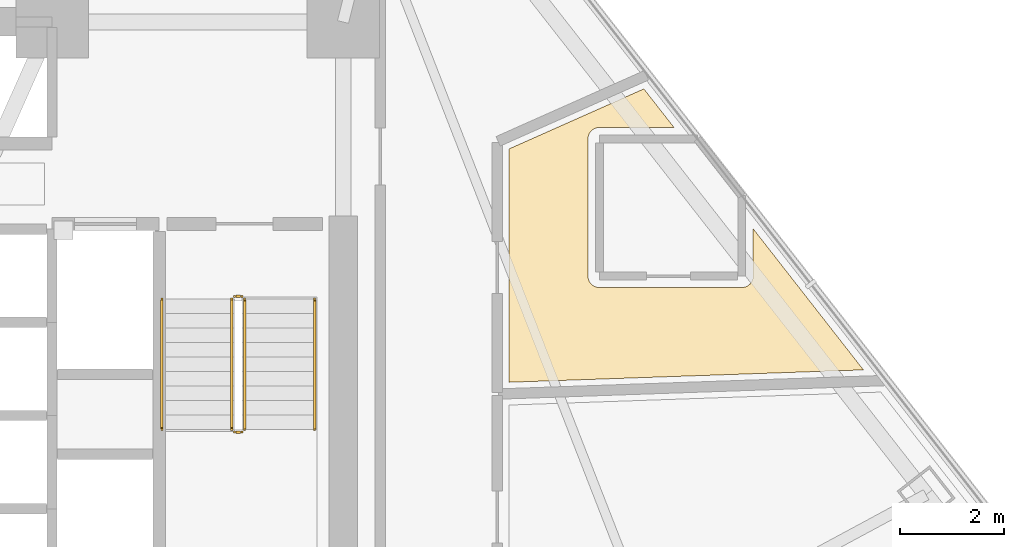
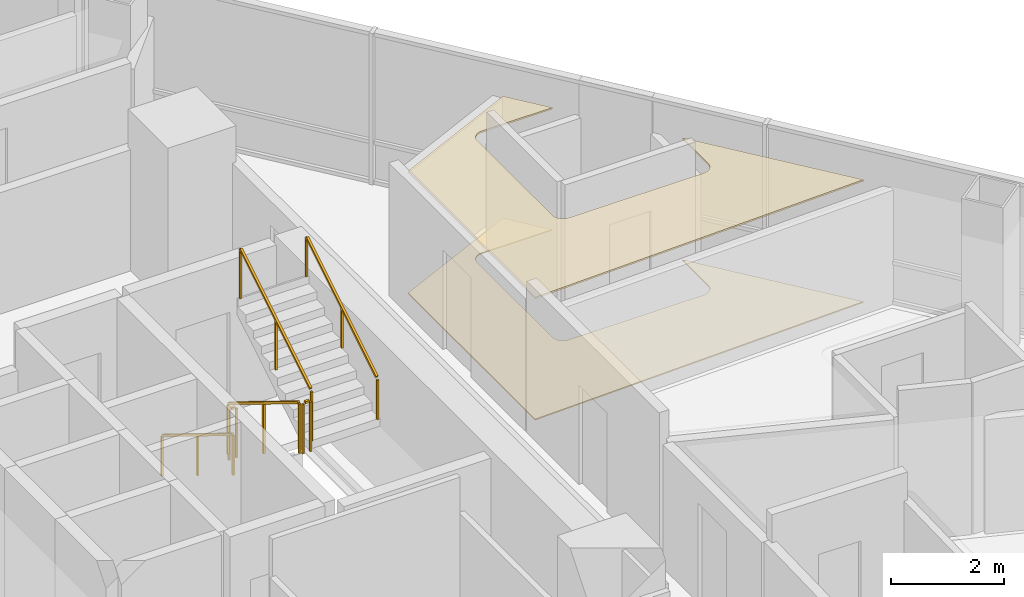
# One storey, part 14 of 15: 6 railings, 2 coverings.
"""IFC4 building model written with IfcOpenShell, lengths in metres."""

from ifc_helpers import new_model, si_unit, direction, frame, origin, origin_2d, place, context, subcontext, project, spatial, polyline, rectangle, outline, extrude, material, layer, layer_set, type_object, element, save


model = new_model("IFC4")

# Units and contexts
model_context = context("Model", 3, precision=1e-05, world=origin(), true_north=direction((0.0, 1.0)))
body_context = subcontext(model_context, "Body", "Model", "MODEL_VIEW")
ifc_project = project(units=[si_unit("LENGTHUNIT", "METRE"), si_unit("AREAUNIT", "SQUARE_METRE"), si_unit("VOLUMEUNIT", "CUBIC_METRE"), si_unit("PLANEANGLEUNIT", "RADIAN"), si_unit("MASSUNIT", "GRAM", prefix="KILO")], contexts=[model_context])

# Site, building, storey
site_placement = place(None, origin())
site = spatial("IfcSite", under=ifc_project, at=site_placement, CompositionType="ELEMENT")
building_placement = place(site_placement, origin())
building = spatial("IfcBuilding", under=site, at=building_placement, Name="Tharavind Bronze Gate", CompositionType="ELEMENT")
storey_placement = place(building_placement, frame((0.0, 0.0, 63.85009765625)))
storey = spatial("IfcBuildingStorey", under=building, at=storey_placement, Name="L15", CompositionType="ELEMENT", Elevation=63.85009765625)

# Coverings
ifc_material_1 = material(Name="Engineered Oak & Carpet Tile", Category="wood")
ifc_layer_1 = layer(ifc_material_1, 0.02490234375)
ifc_layer_set_1 = layer_set([ifc_layer_1], Name="Engineered Oak & Carpet Tile")
covering_type_1 = type_object("IfcCoveringType", Name="ENGINEERED TIMBER FLOORING", PredefinedType="FLOORING", material=ifc_layer_set_1)
covering_1_placement = place(storey_placement, origin())
element("IfcCovering", 1, at=covering_1_placement, inside=storey, type_object=covering_type_1, Name="L15-RM-01 floor finish", PredefinedType="FLOORING", context=body_context, shape_type="SweptSolid", body=[
    extrude(outline(polyline([(18.948974609375, 0.8818359375), (16.820068359375, 3.606689453125), (16.820068359375, 2.692626953125), (16.81884765625, 2.671142578125), (16.81591796875, 2.64990234375), (16.810546875, 2.62890625), (16.80322265625, 2.608642578125), (16.7939453125, 2.589111328125), (16.782958984375, 2.570556640625), (16.77001953125, 2.55322265625), (16.755615234375, 2.537109375), (16.739501953125, 2.522705078125), (16.72216796875, 2.509765625), (16.70361328125, 2.498779296875), (16.68408203125, 2.489501953125), (16.663818359375, 2.482177734375), (16.642822265625, 2.47705078125), (16.62158203125, 2.473876953125), (16.60009765625, 2.47265625), (13.85009765625, 2.47265625), (13.828369140625, 2.473876953125), (13.80712890625, 2.47705078125), (13.7861328125, 2.482177734375), (13.765869140625, 2.489501953125), (13.746337890625, 2.498779296875), (13.727783203125, 2.509765625), (13.71044921875, 2.522705078125), (13.6943359375, 2.537109375), (13.679931640625, 2.55322265625), (13.6669921875, 2.570556640625), (13.656005859375, 2.589111328125), (13.646728515625, 2.608642578125), (13.639404296875, 2.62890625), (13.63427734375, 2.64990234375), (13.631103515625, 2.671142578125), (13.6298828125, 2.692626953125), (13.6298828125, 5.3427734375), (13.631103515625, 5.3642578125), (13.63427734375, 5.3857421875), (13.639404296875, 5.406494140625), (13.646728515625, 5.427001953125), (13.656005859375, 5.446533203125), (13.6669921875, 5.465087890625), (13.679931640625, 5.482421875), (13.6943359375, 5.498291015625), (13.71044921875, 5.5126953125), (13.727783203125, 5.525634765625), (13.746337890625, 5.536865234375), (13.765869140625, 5.5458984375), (13.7861328125, 5.55322265625), (13.80712890625, 5.55859375), (13.828369140625, 5.561767578125), (13.85009765625, 5.562744140625), (15.291748046875, 5.562744140625), (14.709228515625, 6.30810546875), (12.10009765625, 5.146484375), (12.10009765625, 0.642578125), (18.948974609375, 0.8818359375)])), origin(), (0.0, 0.0, 1.0), 0.02490234375),
])
ifc_material_2 = material(Name="Acoustic Gypsum Board", Category="gypsum")
ifc_layer_2 = layer(ifc_material_2, 0.030029296875)
ifc_layer_set_2 = layer_set([ifc_layer_2], Name="Acoustic Gypsum Board")
covering_type_2 = type_object("IfcCoveringType", Name="GYPSUM SUSPENDED CEILING", PredefinedType="CEILING", material=ifc_layer_set_2)
covering_2_placement = place(storey_placement, frame((0.0, 0.0, 2.625)))
element("IfcCovering", 2, at=covering_2_placement, inside=storey, type_object=covering_type_2, Name="L15-RM-01 suspended ceiling", PredefinedType="CEILING", context=body_context, shape_type="SweptSolid", body=[
    extrude(outline(polyline([(18.948974609375, 0.8818359375), (16.820068359375, 3.606689453125), (16.820068359375, 2.692626953125), (16.81884765625, 2.671142578125), (16.81591796875, 2.64990234375), (16.810546875, 2.62890625), (16.80322265625, 2.608642578125), (16.7939453125, 2.589111328125), (16.782958984375, 2.570556640625), (16.77001953125, 2.55322265625), (16.755615234375, 2.537109375), (16.739501953125, 2.522705078125), (16.72216796875, 2.509765625), (16.70361328125, 2.498779296875), (16.68408203125, 2.489501953125), (16.663818359375, 2.482177734375), (16.642822265625, 2.47705078125), (16.62158203125, 2.473876953125), (16.60009765625, 2.47265625), (13.85009765625, 2.47265625), (13.828369140625, 2.473876953125), (13.80712890625, 2.47705078125), (13.7861328125, 2.482177734375), (13.765869140625, 2.489501953125), (13.746337890625, 2.498779296875), (13.727783203125, 2.509765625), (13.71044921875, 2.522705078125), (13.6943359375, 2.537109375), (13.679931640625, 2.55322265625), (13.6669921875, 2.570556640625), (13.656005859375, 2.589111328125), (13.646728515625, 2.608642578125), (13.639404296875, 2.62890625), (13.63427734375, 2.64990234375), (13.631103515625, 2.671142578125), (13.6298828125, 2.692626953125), (13.6298828125, 5.3427734375), (13.631103515625, 5.3642578125), (13.63427734375, 5.3857421875), (13.639404296875, 5.406494140625), (13.646728515625, 5.427001953125), (13.656005859375, 5.446533203125), (13.6669921875, 5.465087890625), (13.679931640625, 5.482421875), (13.6943359375, 5.498291015625), (13.71044921875, 5.5126953125), (13.727783203125, 5.525634765625), (13.746337890625, 5.536865234375), (13.765869140625, 5.5458984375), (13.7861328125, 5.55322265625), (13.80712890625, 5.55859375), (13.828369140625, 5.561767578125), (13.85009765625, 5.562744140625), (15.291748046875, 5.562744140625), (14.709228515625, 6.30810546875), (12.10009765625, 5.146484375), (12.10009765625, 0.642578125), (18.948974609375, 0.8818359375)])), origin(), (0.0, 0.0, 1.0), 0.034912109375),
])

# Railings
ifc_material_3 = material(Name="Brushed Bronze Alloy", Category="metal")
railing_type_1 = type_object("IfcRailingType", Name="STAIR BRONZE HANDRAIL 900", PredefinedType="HANDRAIL", material=ifc_material_3)
railing_1_placement = place(storey_placement, frame((5.39990234375, 2.25, 0.17236328125)))
element("IfcRailing", 3, at=railing_1_placement, inside=storey, type_object=railing_type_1, Name="L15 ST2 stair handrail 1", PredefinedType="HANDRAIL", context=body_context, shape_type="SweptSolid", body=[
    extrude(rectangle(XDim=0.048095703125, YDim=0.048095703125, at=origin_2d()), frame((0.0, -0.02734375, 0.892578125), z_axis=(0.0, -0.851400495292, 0.524516154772), x_axis=(1.0, 0.0, 0.0)), (0.0, 0.0, 1.0), 2.895751953125),
    extrude(rectangle(XDim=0.0400390625, YDim=0.0400390625, at=origin_2d()), origin(), (0.0, 0.0, 1.0), 0.847900390625),
    extrude(rectangle(XDim=0.0400390625, YDim=0.0400390625, at=origin_2d()), frame((0.0, -1.260009765625, 0.7763671875)), (0.0, 0.0, 1.0), 0.847900390625),
    extrude(rectangle(XDim=0.0400390625, YDim=0.0400390625, at=origin_2d()), frame((0.0, -2.52001953125, 1.552490234375)), (0.0, 0.0, 1.0), 0.847900390625),
])
railing_2_placement = place(storey_placement, frame((8.35009765625, -0.27001953125, 1.8974609375)))
element("IfcRailing", 4, at=railing_2_placement, inside=storey, type_object=railing_type_1, Name="L15 ST2 stair handrail 2", PredefinedType="HANDRAIL", context=body_context, shape_type="SweptSolid", body=[
    extrude(rectangle(XDim=0.048095703125, YDim=0.048095703125, at=origin_2d()), frame((0.0, 0.02734375, 0.892578125), z_axis=(0.0, 0.851400495292, 0.524516154772), x_axis=(-1.0, 0.0, 0.0)), (0.0, 0.0, 1.0), 2.895751953125),
    extrude(rectangle(XDim=0.0400390625, YDim=0.0400390625, at=origin_2d()), origin(), (0.0, 0.0, 1.0), 0.847900390625),
    extrude(rectangle(XDim=0.0400390625, YDim=0.0400390625, at=origin_2d()), frame((0.0, 1.260009765625, 0.7763671875)), (0.0, 0.0, 1.0), 0.847900390625),
    extrude(rectangle(XDim=0.0400390625, YDim=0.0400390625, at=origin_2d()), frame((0.0, 2.52001953125, 1.552490234375)), (0.0, 0.0, 1.0), 0.847900390625),
])
railing_type_2 = type_object("IfcRailingType", Name="STAIR WELL GUARD RAILING 1120", PredefinedType="GUARDRAIL", material=ifc_material_3)
railing_3_placement = place(storey_placement, frame((6.75, 2.25, 0.17236328125)))
element("IfcRailing", 5, at=railing_3_placement, inside=storey, type_object=railing_type_2, Name="L15 ST2 stair guard 1", PredefinedType="GUARDRAIL", context=body_context, shape_type="SweptSolid", body=[
    extrude(rectangle(XDim=0.048095703125, YDim=0.048095703125, at=origin_2d()), frame((0.0, -0.02734375, 1.11279296875), z_axis=(0.0, -0.851400495292, 0.524516154772), x_axis=(1.0, 0.0, 0.0)), (0.0, 0.0, 1.0), 2.895751953125),
    extrude(rectangle(XDim=0.0400390625, YDim=0.0400390625, at=origin_2d()), origin(), (0.0, 0.0, 1.0), 1.068115234375),
    extrude(rectangle(XDim=0.0400390625, YDim=0.0400390625, at=origin_2d()), frame((0.0, -1.260009765625, 0.7763671875)), (0.0, 0.0, 1.0), 1.068115234375),
    extrude(rectangle(XDim=0.0400390625, YDim=0.0400390625, at=origin_2d()), frame((0.0, -2.52001953125, 1.552490234375)), (0.0, 0.0, 1.0), 1.068115234375),
])
railing_4_placement = place(storey_placement, frame((6.800048828125, -0.320068359375, 1.724853515625)))
element("IfcRailing", 6, at=railing_4_placement, inside=storey, type_object=railing_type_2, Name="L15 ST2 stair guard 2", PredefinedType="GUARDRAIL", context=body_context, shape_type="SweptSolid", body=[
    extrude(rectangle(XDim=0.048095703125, YDim=0.048095703125, at=origin_2d()), frame((0.031982421875, 0.0, 1.09619140625), z_axis=(1.0, 0.0, 0.0), x_axis=(0.0, 1.0, 0.0)), (0.0, 0.0, 1.0), 0.0859375),
    extrude(rectangle(XDim=0.0400390625, YDim=0.0400390625, at=origin_2d()), origin(), (0.0, 0.0, 1.0), 1.068115234375),
    extrude(rectangle(XDim=0.0400390625, YDim=0.0400390625, at=origin_2d()), frame((0.14990234375, 0.0, 0.0)), (0.0, 0.0, 1.0), 1.068115234375),
])
railing_5_placement = place(storey_placement, frame((7.0, -0.27001953125, 1.8974609375)))
element("IfcRailing", 7, at=railing_5_placement, inside=storey, type_object=railing_type_2, Name="L15 ST2 stair guard 3", PredefinedType="GUARDRAIL", context=body_context, shape_type="SweptSolid", body=[
    extrude(rectangle(XDim=0.048095703125, YDim=0.048095703125, at=origin_2d()), frame((0.0, 0.02734375, 1.11279296875), z_axis=(0.0, 0.851400495292, 0.524516154772), x_axis=(-1.0, 0.0, 0.0)), (0.0, 0.0, 1.0), 2.895751953125),
    extrude(rectangle(XDim=0.0400390625, YDim=0.0400390625, at=origin_2d()), origin(), (0.0, 0.0, 1.0), 1.068115234375),
    extrude(rectangle(XDim=0.0400390625, YDim=0.0400390625, at=origin_2d()), frame((0.0, 1.260009765625, 0.7763671875)), (0.0, 0.0, 1.0), 1.068115234375),
    extrude(rectangle(XDim=0.0400390625, YDim=0.0400390625, at=origin_2d()), frame((0.0, 2.52001953125, 1.552490234375)), (0.0, 0.0, 1.0), 1.068115234375),
])
railing_6_placement = place(storey_placement, frame((6.800048828125, 2.300048828125, 0.0)))
element("IfcRailing", 8, at=railing_6_placement, inside=storey, type_object=railing_type_2, Name="L15 ST2 stair guard 4", PredefinedType="GUARDRAIL", context=body_context, shape_type="SweptSolid", body=[
    extrude(rectangle(XDim=0.048095703125, YDim=0.048095703125, at=origin_2d()), frame((0.031982421875, 0.0, 1.09619140625), z_axis=(1.0, 0.0, 0.0), x_axis=(0.0, 1.0, 0.0)), (0.0, 0.0, 1.0), 0.0859375),
    extrude(rectangle(XDim=0.0400390625, YDim=0.0400390625, at=origin_2d()), origin(), (0.0, 0.0, 1.0), 1.068115234375),
    extrude(rectangle(XDim=0.0400390625, YDim=0.0400390625, at=origin_2d()), frame((0.14990234375, 0.0, 0.0)), (0.0, 0.0, 1.0), 1.068115234375),
])

save(model, "model.ifc")
